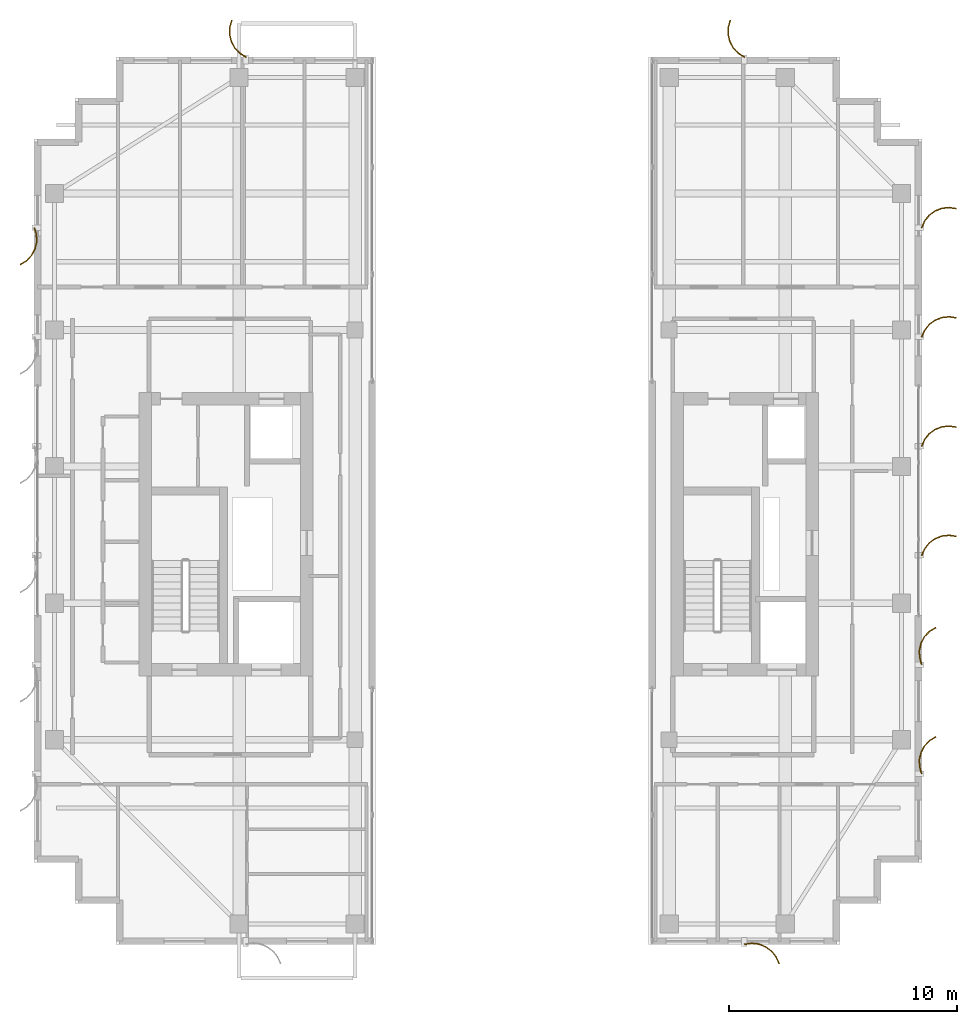
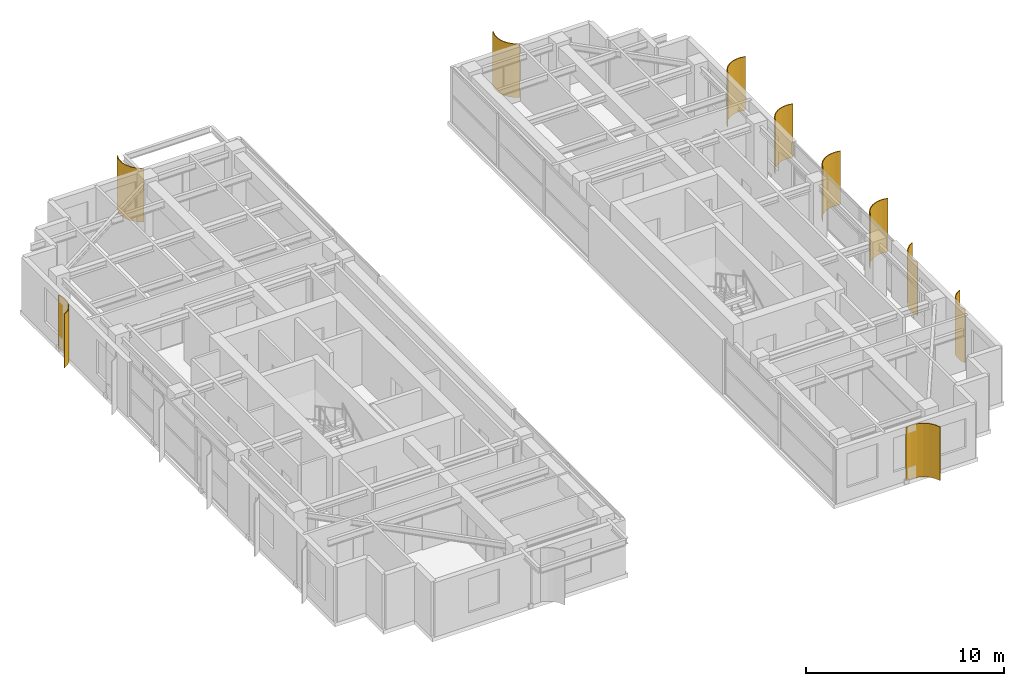
# One storey, part 22 of 22: 10 shading devices.
"""IFC4 building model written with IfcOpenShell, lengths in metres."""

from ifc_helpers import new_model, si_unit, direction, frame, origin, place, context, subcontext, project, spatial, polyline, outline, extrude, source, transform, mapped, material, layer, layer_set, type_object, element, save


model = new_model("IFC4")

# Units and contexts
model_context = context("Model", 3, precision=1e-05, world=origin(), true_north=direction((0.0, 1.0)))
body_context = subcontext(model_context, "Body", "Model", "MODEL_VIEW")
ifc_project = project(units=[si_unit("LENGTHUNIT", "METRE"), si_unit("AREAUNIT", "SQUARE_METRE"), si_unit("VOLUMEUNIT", "CUBIC_METRE"), si_unit("PLANEANGLEUNIT", "RADIAN"), si_unit("MASSUNIT", "GRAM", prefix="KILO")], contexts=[model_context])

# Site, building, storey
site_placement = place(None, origin())
site = spatial("IfcSite", under=ifc_project, at=site_placement, CompositionType="ELEMENT")
building_placement = place(site_placement, origin())
building = spatial("IfcBuilding", under=site, at=building_placement, Name="Khoralis Quay Care Tower", CompositionType="ELEMENT")
storey_placement = place(building_placement, frame((0.0, 0.0, 256.5)))
storey = spatial("IfcBuildingStorey", under=building, at=storey_placement, Name="L67", CompositionType="ELEMENT", Elevation=256.5)

# Shading devices
ifc_material = material(Name="Brushed pale anodised aluminium", Category="aluminium")
ifc_layer = layer(ifc_material, 0.044921875)
ifc_layer_set = layer_set([ifc_layer], Name="Brushed pale anodised aluminium")
shading_device_type = type_object("IfcShadingDeviceType", Name="SHD-FIN-1250", PredefinedType="USERDEFINED", material=ifc_layer_set)
shared_shape_1 = source(origin(), body_context, "Body", "SweptSolid", [
    extrude(outline(polyline([(0.0, 0.0), (0.130126953125, 0.29931640625), (0.333251953125, 0.5546875), (0.595458984375, 0.748779296875), (0.899169921875, 0.868408203125), (1.223388671875, 0.9052734375), (1.546142578125, 0.85693359375), (1.53369140625, 0.813720703125), (1.22265625, 0.8603515625), (0.91015625, 0.82470703125), (0.617431640625, 0.70947265625), (0.364501953125, 0.522216796875), (0.168701171875, 0.276123046875), (0.043212890625, -0.012451171875), (0.0, 0.0)])), origin(), (0.0, 0.0, 1.0), 3.300048828125),
])
for number, where, z_axis, x_axis, name in (
    (1, (41.969970703125, 20.10009765625, 0.02001953125), (0.0, 0.0, 1.0), (1.0, 0.0, 0.0), "L67 Curved Solar Fin P2E5-03"),
    (2, (41.969970703125, 24.89990234375, 0.02001953125), (0.0, 0.0, 1.0), (1.0, 0.0, 0.0), "L67 Curved Solar Fin P2E5-04"),
    (3, (41.969970703125, 29.699951171875, 0.02001953125), (0.0, 0.0, 1.0), (1.0, 0.0, 0.0), "L67 Curved Solar Fin P2E5-05"),
    (4, (41.969970703125, 34.5, 0.02001953125), (0.0, 0.0, 1.0), (1.0, 0.0, 0.0), "L67 Curved Solar Fin P2E5-06"),
):
    element("IfcShadingDevice", number, at=place(storey_placement, frame(where, z_axis=z_axis, x_axis=x_axis)), inside=storey, type_object=shading_device_type, Name=name, ObjectType="FIN", PredefinedType="USERDEFINED", context=body_context, shape_type="MappedRepresentation", body=[
        mapped(shared_shape_1, transform((0.0, 0.0, 0.0), scale=1.0)),
    ])
shared_shape_2 = source(origin(), body_context, "Body", "SweptSolid", [
    extrude(outline(polyline([(0.0, 0.0), (0.17041015625, 0.2783203125), (0.4072265625, 0.5029296875), (0.694091796875, 0.658447265625), (1.01123046875, 0.734619140625), (1.33740234375, 0.72607421875), (1.650390625, 0.633544921875), (1.632080078125, 0.59228515625), (1.330322265625, 0.681640625), (1.015869140625, 0.68994140625), (0.710205078125, 0.616455078125), (0.43359375, 0.466552734375), (0.20556640625, 0.25), (0.041015625, -0.018310546875), (0.0, 0.0)])), origin(), (0.0, 0.0, 1.0), 3.300048828125),
])
for number, where, z_axis, x_axis, name in (
    (5, (12.300048828125, 41.969970703125, 0.02001953125), (0.0, 0.0, 1.0), (0.0, 1.0, 0.0), "L67 Curved Solar Fin P1E2-01"),
    (6, (34.199951171875, 41.969970703125, 0.02001953125), (0.0, 0.0, 1.0), (0.0, 1.0, 0.0), "L67 Curved Solar Fin P2E10-01"),
):
    element("IfcShadingDevice", number, at=place(storey_placement, frame(where, z_axis=z_axis, x_axis=x_axis)), inside=storey, type_object=shading_device_type, Name=name, ObjectType="FIN", PredefinedType="USERDEFINED", context=body_context, shape_type="MappedRepresentation", body=[
        mapped(shared_shape_2, transform((0.0, 0.0, 0.0), scale=1.0)),
    ])
shared_shape_3 = source(origin(), body_context, "Body", "SweptSolid", [
    extrude(outline(polyline([(0.0, 0.0), (-0.04833984375, 0.32275390625), (-0.01123046875, 0.64697265625), (0.1083984375, 0.950439453125), (0.302490234375, 1.212890625), (0.557861328125, 1.416015625), (0.85693359375, 1.546142578125), (0.869384765625, 1.5029296875), (0.5810546875, 1.37744140625), (0.334716796875, 1.181640625), (0.147705078125, 0.9287109375), (0.032470703125, 0.635986328125), (-0.003173828125, 0.323486328125), (0.043212890625, 0.012451171875), (0.0, 0.0)])), origin(), (0.0, 0.0, 1.0), 3.300048828125),
])
shading_device_placement = place(storey_placement, frame((34.199951171875, 3.030029296875, 0.02001953125), z_axis=(0.0, 0.0, 1.0), x_axis=(0.0, -1.0, 0.0)))
element("IfcShadingDevice", 7, at=shading_device_placement, inside=storey, type_object=shading_device_type, Name="L67 Curved Solar Fin P2E0-01", ObjectType="FIN", PredefinedType="USERDEFINED", context=body_context, shape_type="MappedRepresentation", body=[
    mapped(shared_shape_3, transform((0.0, 0.0, 0.0), scale=1.0)),
])
shared_shape_4 = source(origin(), body_context, "Body", "SweptSolid", [
    extrude(outline(polyline([(0.0, 0.0), (-0.0927734375, 0.31298828125), (-0.101318359375, 0.63916015625), (-0.025146484375, 0.956298828125), (0.130615234375, 1.2431640625), (0.355224609375, 1.479736328125), (0.633544921875, 1.650390625), (0.65185546875, 1.609130859375), (0.383544921875, 1.44482421875), (0.1669921875, 1.216796875), (0.01708984375, 0.940185546875), (-0.056396484375, 0.63427734375), (-0.04833984375, 0.31982421875), (0.041015625, 0.018310546875), (0.0, 0.0)])), origin(), (0.0, 0.0, 1.0), 3.300048828125),
])
for number, where, z_axis, x_axis, name in (
    (8, (3.030029296875, 34.5, 0.02001953125), (0.0, 0.0, 1.0), (-1.0, 0.0, 0.0), "L67 Curved Solar Fin P1E7-01"),
    (9, (41.969970703125, 10.5, 0.02001953125), (0.0, 0.0, 1.0), (1.0, 0.0, 0.0), "L67 Curved Solar Fin P2E5-01"),
    (10, (41.969970703125, 15.300048828125, 0.02001953125), (0.0, 0.0, 1.0), (1.0, 0.0, 0.0), "L67 Curved Solar Fin P2E5-02"),
):
    element("IfcShadingDevice", number, at=place(storey_placement, frame(where, z_axis=z_axis, x_axis=x_axis)), inside=storey, type_object=shading_device_type, Name=name, ObjectType="FIN", PredefinedType="USERDEFINED", context=body_context, shape_type="MappedRepresentation", body=[
        mapped(shared_shape_4, transform((0.0, 0.0, 0.0), scale=1.0)),
    ])

save(model, "model.ifc")
